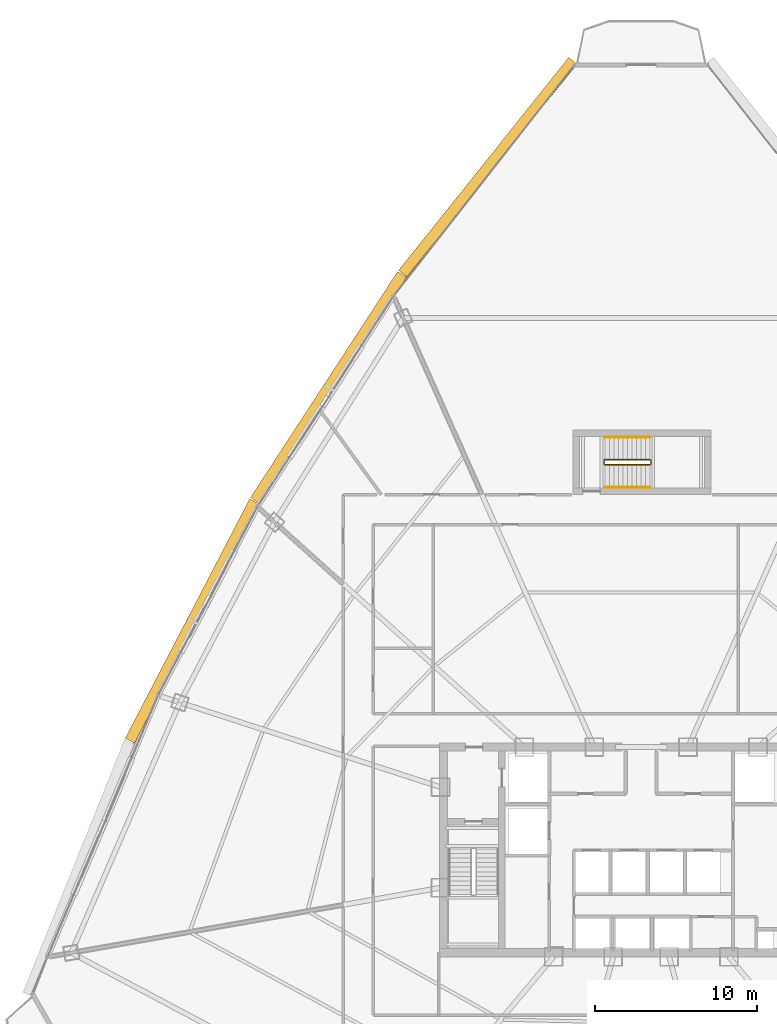
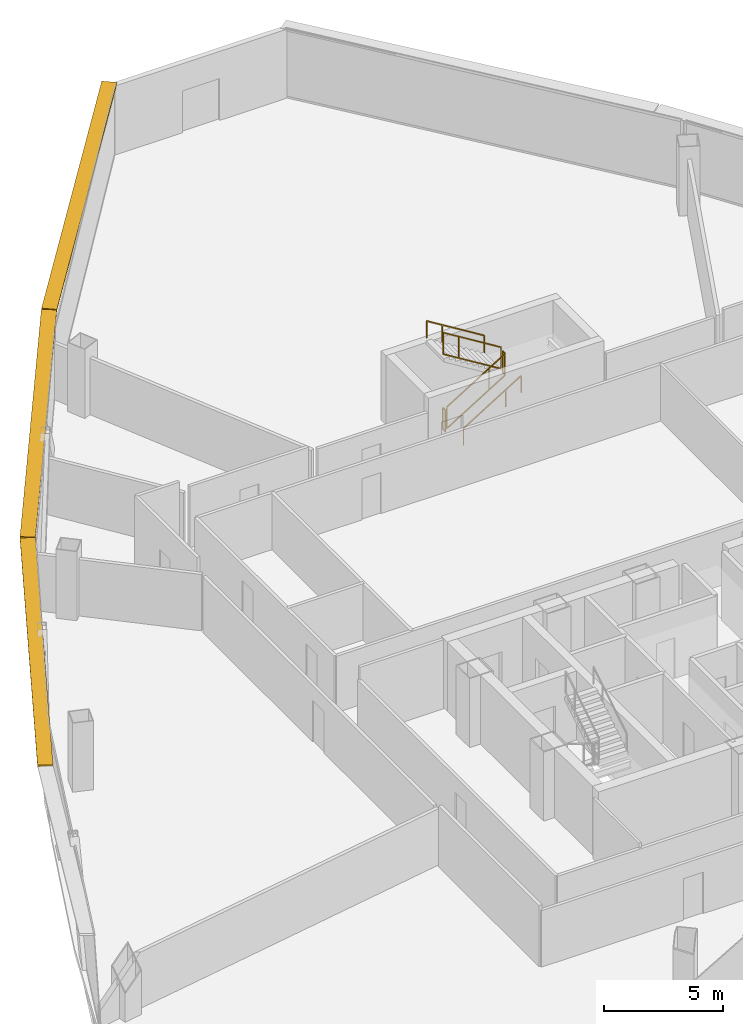
# One storey, part 35 of 36: 6 railings, 3 shading devices.
"""IFC4 building model written with IfcOpenShell, lengths in metres."""

from ifc_helpers import new_model, si_unit, direction, frame, origin, origin_2d, place, context, subcontext, project, spatial, rectangle, extrude, source, transform, mapped, material, layer, layer_set, type_object, element, save


model = new_model("IFC4")

# Units and contexts
model_context = context("Model", 3, precision=1e-05, world=origin(), true_north=direction((0.0, 1.0)))
body_context = subcontext(model_context, "Body", "Model", "MODEL_VIEW")
ifc_project = project(units=[si_unit("LENGTHUNIT", "METRE"), si_unit("AREAUNIT", "SQUARE_METRE"), si_unit("VOLUMEUNIT", "CUBIC_METRE"), si_unit("PLANEANGLEUNIT", "RADIAN"), si_unit("MASSUNIT", "GRAM", prefix="KILO"), si_unit("THERMODYNAMICTEMPERATUREUNIT", "KELVIN"), si_unit("POWERUNIT", "WATT")], contexts=[model_context])

# Site, building, storey
site_placement = place(None, origin())
site = spatial("IfcSite", under=ifc_project, at=site_placement, CompositionType="ELEMENT")
building_placement = place(site_placement, origin())
building = spatial("IfcBuilding", under=site, at=building_placement, Name="Yunzhuo Pagoda Commons", CompositionType="ELEMENT")
storey_placement = place(building_placement, frame((0.0, 0.0, 211.360107421875)))
storey = spatial("IfcBuildingStorey", under=building, at=storey_placement, Name="L53", CompositionType="ELEMENT", Elevation=211.360107421875)

# Railings
ifc_material = material(Name="Anodized aluminium 6063-T6", Category="aluminium")
railing_type_1 = type_object("IfcRailingType", Name="GR-ST3 North Well Guardrail 1155", PredefinedType="GUARDRAIL", material=ifc_material)
railing_1_placement = place(storey_placement, frame((45.75, 57.64990234375, 0.172607421875)))
element("IfcRailing", 1, at=railing_1_placement, inside=storey, type_object=railing_type_1, Name="L53 ST3 stair guard 1", PredefinedType="GUARDRAIL", context=body_context, shape_type="SweptSolid", body=[
    extrude(rectangle(XDim=0.048095703125, YDim=0.048095703125, at=origin_2d()), frame((0.0, 0.0, 1.1259765625), z_axis=(0.851089632645, 0.0, 0.525020415988), x_axis=(0.0, 1.0, 0.0)), (0.0, 0.0, 1.0), 3.2900390625),
    extrude(rectangle(XDim=0.048095703125, YDim=0.048095703125, at=origin_2d()), frame((0.0, 0.0, 0.02392578125), z_axis=(0.851089632645, 0.0, 0.525020415988), x_axis=(0.0, 1.0, 0.0)), (0.0, 0.0, 1.0), 3.2900390625),
    extrude(rectangle(XDim=0.0419921875, YDim=0.0419921875, at=origin_2d()), origin(), (0.0, 0.0, 1.0), 1.101806640625),
    extrude(rectangle(XDim=0.0419921875, YDim=0.0419921875, at=origin_2d()), frame((2.042724609375, 0.0, 1.260009765625)), (0.0, 0.0, 1.0), 1.101806640625),
    extrude(rectangle(XDim=0.0419921875, YDim=0.0419921875, at=origin_2d()), frame((2.800048828125, 0.0, 1.727294921875)), (0.0, 0.0, 1.0), 1.101806640625),
])
railing_2_placement = place(storey_placement, frame((48.60009765625, 57.699951171875, 1.89990234375)))
element("IfcRailing", 2, at=railing_2_placement, inside=storey, type_object=railing_type_1, Name="L53 ST3 stair guard 2", PredefinedType="GUARDRAIL", context=body_context, shape_type="SweptSolid", body=[
    extrude(rectangle(XDim=0.048095703125, YDim=0.048095703125, at=origin_2d()), frame((0.0, 0.0, 1.1259765625), z_axis=(0.0, 1.0, 0.0), x_axis=(-1.0, 0.0, 0.0)), (0.0, 0.0, 1.0), 0.199951171875),
    extrude(rectangle(XDim=0.048095703125, YDim=0.048095703125, at=origin_2d()), frame((0.0, 0.0, 0.02392578125), z_axis=(0.0, 1.0, 0.0), x_axis=(-1.0, 0.0, 0.0)), (0.0, 0.0, 1.0), 0.199951171875),
    extrude(rectangle(XDim=0.0419921875, YDim=0.0419921875, at=origin_2d()), origin(), (0.0, 0.0, 1.0), 1.101806640625),
    extrude(rectangle(XDim=0.0419921875, YDim=0.0419921875, at=origin_2d()), frame((0.0, 0.199951171875, 0.0)), (0.0, 0.0, 1.0), 1.101806640625),
])
railing_3_placement = place(storey_placement, frame((48.550048828125, 57.949951171875, 2.072509765625)))
element("IfcRailing", 3, at=railing_3_placement, inside=storey, type_object=railing_type_1, Name="L53 ST3 stair guard 3", PredefinedType="GUARDRAIL", context=body_context, shape_type="SweptSolid", body=[
    extrude(rectangle(XDim=0.048095703125, YDim=0.048095703125, at=origin_2d()), frame((0.0, 0.0, 1.1259765625), z_axis=(-0.851089632645, 0.0, 0.525020415988), x_axis=(0.0, -1.0, 0.0)), (0.0, 0.0, 1.0), 3.2900390625),
    extrude(rectangle(XDim=0.048095703125, YDim=0.048095703125, at=origin_2d()), frame((0.0, 0.0, 0.02392578125), z_axis=(-0.851089632645, 0.0, 0.525020415988), x_axis=(0.0, -1.0, 0.0)), (0.0, 0.0, 1.0), 3.2900390625),
    extrude(rectangle(XDim=0.0419921875, YDim=0.0419921875, at=origin_2d()), origin(), (0.0, 0.0, 1.0), 1.101806640625),
    extrude(rectangle(XDim=0.0419921875, YDim=0.0419921875, at=origin_2d()), frame((-2.042724609375, 0.0, 1.260009765625)), (0.0, 0.0, 1.0), 1.101806640625),
    extrude(rectangle(XDim=0.0419921875, YDim=0.0419921875, at=origin_2d()), frame((-2.800048828125, 0.0, 1.727294921875)), (0.0, 0.0, 1.0), 1.101806640625),
])
railing_4_placement = place(storey_placement, frame((45.699951171875, 57.699951171875, 0.0)))
element("IfcRailing", 4, at=railing_4_placement, inside=storey, type_object=railing_type_1, Name="L53 ST3 stair guard 4", PredefinedType="GUARDRAIL", context=body_context, shape_type="SweptSolid", body=[
    extrude(rectangle(XDim=0.048095703125, YDim=0.048095703125, at=origin_2d()), frame((0.0, 0.0, 1.1259765625), z_axis=(0.0, 1.0, 0.0), x_axis=(-1.0, 0.0, 0.0)), (0.0, 0.0, 1.0), 0.199951171875),
    extrude(rectangle(XDim=0.048095703125, YDim=0.048095703125, at=origin_2d()), frame((0.0, 0.0, 0.02392578125), z_axis=(0.0, 1.0, 0.0), x_axis=(-1.0, 0.0, 0.0)), (0.0, 0.0, 1.0), 0.199951171875),
    extrude(rectangle(XDim=0.0419921875, YDim=0.0419921875, at=origin_2d()), origin(), (0.0, 0.0, 1.0), 1.101806640625),
    extrude(rectangle(XDim=0.0419921875, YDim=0.0419921875, at=origin_2d()), frame((0.0, 0.199951171875, 0.0)), (0.0, 0.0, 1.0), 1.101806640625),
])
railing_type_2 = type_object("IfcRailingType", Name="HR-ST3 North Stair Handrail 900", PredefinedType="HANDRAIL", material=ifc_material)
railing_5_placement = place(storey_placement, frame((45.75, 56.25, 0.172607421875)))
element("IfcRailing", 5, at=railing_5_placement, inside=storey, type_object=railing_type_2, Name="L53 ST3 stair handrail 1", PredefinedType="HANDRAIL", context=body_context, shape_type="SweptSolid", body=[
    extrude(rectangle(XDim=0.048095703125, YDim=0.048095703125, at=origin_2d()), frame((0.0, 0.0, 0.8759765625), z_axis=(0.851089632645, 0.0, 0.525020415988), x_axis=(0.0, 1.0, 0.0)), (0.0, 0.0, 1.0), 3.2900390625),
    extrude(rectangle(XDim=0.0419921875, YDim=0.0419921875, at=origin_2d()), origin(), (0.0, 0.0, 1.0), 0.851806640625),
    extrude(rectangle(XDim=0.0419921875, YDim=0.0419921875, at=origin_2d()), frame((2.042724609375, 0.0, 1.260009765625)), (0.0, 0.0, 1.0), 0.851806640625),
    extrude(rectangle(XDim=0.0419921875, YDim=0.0419921875, at=origin_2d()), frame((2.800048828125, 0.0, 1.727294921875)), (0.0, 0.0, 1.0), 0.851806640625),
])
railing_6_placement = place(storey_placement, frame((48.550048828125, 59.35009765625, 2.072509765625)))
element("IfcRailing", 6, at=railing_6_placement, inside=storey, type_object=railing_type_2, Name="L53 ST3 stair handrail 2", PredefinedType="HANDRAIL", context=body_context, shape_type="SweptSolid", body=[
    extrude(rectangle(XDim=0.048095703125, YDim=0.048095703125, at=origin_2d()), frame((0.0, 0.0, 0.8759765625), z_axis=(-0.851089632645, 0.0, 0.525020415988), x_axis=(0.0, -1.0, 0.0)), (0.0, 0.0, 1.0), 3.2900390625),
    extrude(rectangle(XDim=0.0419921875, YDim=0.0419921875, at=origin_2d()), origin(), (0.0, 0.0, 1.0), 0.851806640625),
    extrude(rectangle(XDim=0.0419921875, YDim=0.0419921875, at=origin_2d()), frame((-2.042724609375, 0.0, 1.260009765625)), (0.0, 0.0, 1.0), 0.851806640625),
    extrude(rectangle(XDim=0.0419921875, YDim=0.0419921875, at=origin_2d()), frame((-2.800048828125, 0.0, 1.727294921875)), (0.0, 0.0, 1.0), 0.851806640625),
])

# Shading devices
ifc_layer = layer(ifc_material, 0.080078125)
ifc_layer_set = layer_set([ifc_layer], Name="Anodized aluminium 6063-T6")
shading_device_type = type_object("IfcShadingDeviceType", Name="SH-SUN1 Pagoda Horizontal Sunshade Eave 650", PredefinedType="USERDEFINED", material=ifc_layer_set)
shared_shape_1 = source(origin(), body_context, "Body", "SweptSolid", [
    extrude(rectangle(XDim=16.82861328125, YDim=0.64990234375, at=origin_2d()), origin(), (0.0, 0.0, 1.0), 0.080078125),
])
shading_device_placement = place(storey_placement, frame((38.525634765625, 76.029296875, 3.4599609375), z_axis=(0.0, 0.0, 1.0), x_axis=(-0.624520471688, -0.781008438138, 0.0)))
element("IfcShadingDevice", 7, at=shading_device_placement, inside=storey, type_object=shading_device_type, Name="L53 horizontal pagoda sunshade eave F3.1", ObjectType="SUNSHADE", PredefinedType="USERDEFINED", context=body_context, shape_type="MappedRepresentation", body=[
    mapped(shared_shape_1, transform((0.0, 0.0, 0.0), scale=1.0)),
])
shared_shape_2 = source(origin(), body_context, "Body", "SweptSolid", [
    extrude(rectangle(XDim=16.668701171875, YDim=0.64990234375, at=origin_2d()), origin(), (0.0, 0.0, 1.0), 0.080078125),
])
for number, where, z_axis, x_axis, name in (
    (8, (28.6845703125, 62.42333984375, 3.4599609375), (0.0, 0.0, 1.0), (-0.545838756973, -0.837890238269, 0.0), "L53 horizontal pagoda sunshade eave F3.2"),
    (9, (20.25927734375, 47.989990234375, 3.4599609375), (0.0, 0.0, 1.0), (-0.461206683033, -0.88729273384, 0.0), "L53 horizontal pagoda sunshade eave F3.3"),
):
    element("IfcShadingDevice", number, at=place(storey_placement, frame(where, z_axis=z_axis, x_axis=x_axis)), inside=storey, type_object=shading_device_type, Name=name, ObjectType="SUNSHADE", PredefinedType="USERDEFINED", context=body_context, shape_type="MappedRepresentation", body=[
        mapped(shared_shape_2, transform((0.0, 0.0, 0.0), scale=1.0)),
    ])

save(model, "model.ifc")
